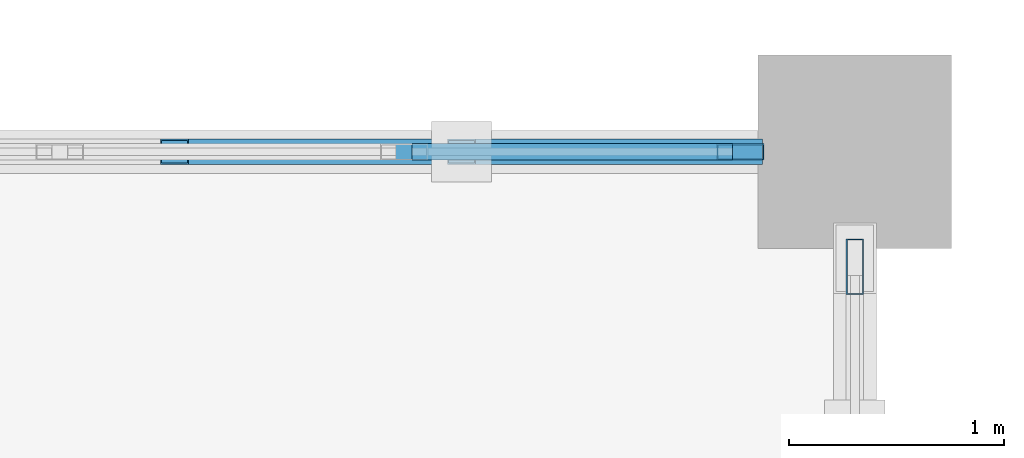
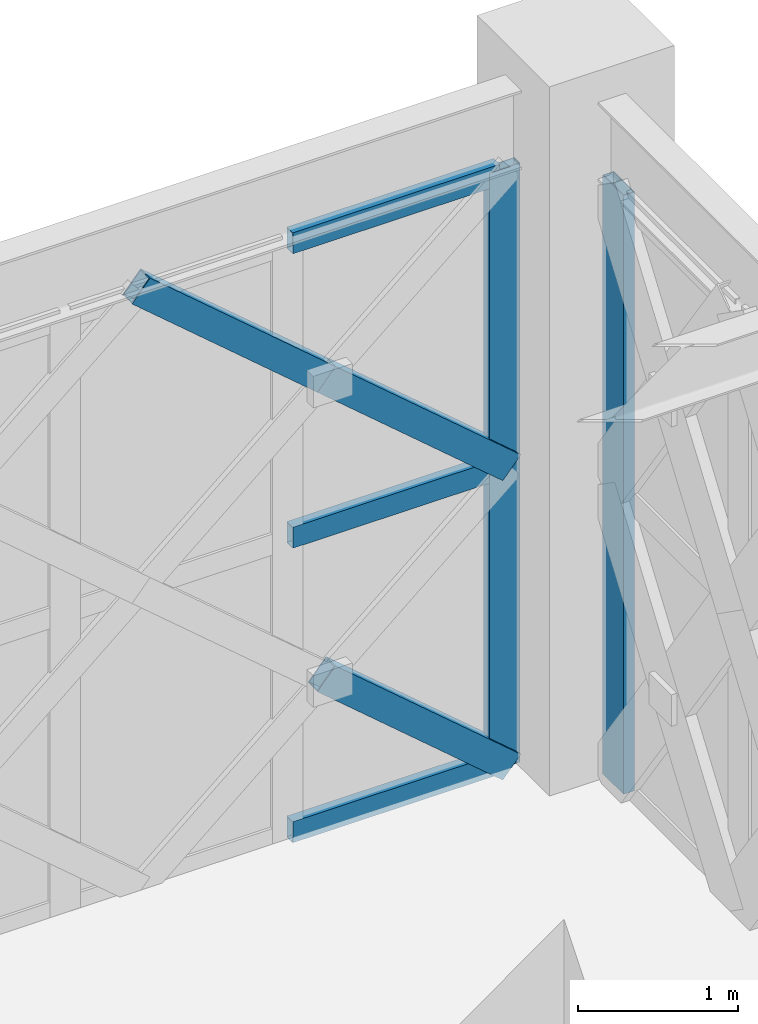
# One storey, part 30 of 155: 8 members, 2 elements without a shape of their own.
"""IFC4 building model written with IfcOpenShell, lengths in metres."""

from ifc_helpers import new_model, si_unit, direction, frame, origin, origin_2d, place, context, subcontext, project, spatial, hollow_rectangle, extrude, material, material_profile, profile_set, type_object, element, aggregate, save


model = new_model("IFC4")

# Units and contexts
model_context = context("Model", 3, precision=1e-05, world=origin(), true_north=direction((0.0, 1.0)))
body_context = subcontext(model_context, "Body", "Model", "MODEL_VIEW")
ifc_project = project(units=[si_unit("LENGTHUNIT", "METRE"), si_unit("AREAUNIT", "SQUARE_METRE"), si_unit("VOLUMEUNIT", "CUBIC_METRE"), si_unit("PLANEANGLEUNIT", "RADIAN"), si_unit("MASSUNIT", "GRAM", prefix="KILO")], contexts=[model_context])

# Site, building, storey
site_placement = place(None, origin())
site = spatial("IfcSite", under=ifc_project, at=site_placement, CompositionType="ELEMENT")
building_placement = place(site_placement, origin())
building = spatial("IfcBuilding", under=site, at=building_placement, Name="Haizhuo Lancet Aquarium", CompositionType="ELEMENT")
storey_placement = place(building_placement, frame((0.0, 0.0, 10.800048828125)))
storey = spatial("IfcBuildingStorey", under=building, at=storey_placement, Name="L02", CompositionType="ELEMENT", Elevation=10.800048828125)

# Curtain wall, member
ifc_material_1 = material(Name="Aluminium 6063-T6", Category="aluminium")
curtain_wall_type_1 = type_object("IfcCurtainWallType", Name="CWO-8010x4560", PredefinedType="NOTDEFINED", material=ifc_material_1)
curtain_wall_1_placement = place(storey_placement, origin())
curtain_wall_1 = element("IfcCurtainWall", 1, at=curtain_wall_1_placement, inside=storey, type_object=curtain_wall_type_1, Name="L02 curtain wall CW-V6-L02-218", PredefinedType="NOTDEFINED")
ifc_material_profile_1 = material_profile(ifc_material_1, hollow_rectangle(XDim=0.074951171875, YDim=0.219970703125, WallThickness=0.0048828125, at=origin_2d()), Name="ALU-M 75x220x5")
ifc_profile_set_1 = profile_set([ifc_material_profile_1], Name="Aluminium 6063-T6")
member_type_1 = type_object("IfcMemberType", Name="CW-MUL-2", PredefinedType="MULLION", material=ifc_profile_set_1)
member_1_placement = place(storey_placement, frame((-36.531982421875, -9.0, 0.0), z_axis=(0.0, 0.0, 1.0), x_axis=(0.0, 1.0, 0.0)))
member_1 = element("IfcMember", 2, at=member_1_placement, type_object=member_type_1, Name="CWO-80x45 mullion 6", PredefinedType="MULLION", context=body_context, shape_type="SweptSolid", body=[
    extrude(hollow_rectangle(XDim=0.074951171875, YDim=0.219970703125, WallThickness=0.0048828125, at=origin_2d()), origin(), (0.0, 0.0, 1.0), 4.56005859375),
])

curtain_wall_type_2 = type_object("IfcCurtainWallType", Name="CWD-8010x4560", PredefinedType="NOTDEFINED", material=ifc_material_1)
curtain_wall_2_placement = place(storey_placement, origin())
curtain_wall_2 = element("IfcCurtainWall", 3, at=curtain_wall_2_placement, inside=storey, type_object=curtain_wall_type_2, Name="L02 curtain wall CW-V6-L02-219", PredefinedType="NOTDEFINED")
ifc_material_profile_2 = material_profile(ifc_material_1, hollow_rectangle(XDim=0.080078125, YDim=0.260009765625, WallThickness=0.0048828125, at=origin_2d()), Name="ALU-M 80x260x5")
ifc_profile_set_2 = profile_set([ifc_material_profile_2], Name="Aluminium 6063-T6")
member_type_2 = type_object("IfcMemberType", Name="CW-MUL-3", PredefinedType="MULLION", material=ifc_profile_set_2)
member_2_placement = place(storey_placement, frame((-36.0, -9.534912109375, 0.0), z_axis=(0.0, 0.0, 1.0), x_axis=(1.0, 0.0, 0.0)))
member_2 = element("IfcMember", 4, at=member_2_placement, type_object=member_type_2, Name="CWD-80x45 mullion 1", PredefinedType="MULLION", context=body_context, shape_type="SweptSolid", body=[
    extrude(hollow_rectangle(XDim=0.080078125, YDim=0.260009765625, WallThickness=0.0048828125, at=origin_2d()), origin(), (0.0, 0.0, 1.0), 4.56005859375),
])
aggregate(curtain_wall_2, [member_2])

# Member
ifc_material_profile_3 = material_profile(ifc_material_1, hollow_rectangle(XDim=0.074951171875, YDim=0.159912109375, WallThickness=0.00390625, at=origin_2d()), Name="ALU-T 75x160x4")
ifc_profile_set_3 = profile_set([ifc_material_profile_3], Name="Aluminium 6063-T6")
member_type_3 = type_object("IfcMemberType", Name="CW-TRN-2", PredefinedType="NOTDEFINED", material=ifc_profile_set_3)
member_3_placement = place(storey_placement, frame((-38.05908203125, -9.0, 0.037841796875), z_axis=(1.0, 0.0, 0.0), x_axis=(0.0, 1.0, 0.0)))
member_3 = element("IfcMember", 5, at=member_3_placement, type_object=member_type_3, Name="CWO-80x45 transom 5.1", ObjectType="TRANSOM", PredefinedType="USERDEFINED", context=body_context, shape_type="SweptSolid", body=[
    extrude(hollow_rectangle(XDim=0.074951171875, YDim=0.159912109375, WallThickness=0.00390625, at=origin_2d()), origin(), (0.0, 0.0, 1.0), 1.489013671875),
])

member_4_placement = place(storey_placement, frame((-38.05908203125, -9.0, 2.280029296875), z_axis=(1.0, 0.0, 0.0), x_axis=(0.0, 1.0, 0.0)))
member_4 = element("IfcMember", 6, at=member_4_placement, type_object=member_type_3, Name="CWO-80x45 transom 5.2", ObjectType="TRANSOM", PredefinedType="USERDEFINED", context=body_context, shape_type="SweptSolid", body=[
    extrude(hollow_rectangle(XDim=0.074951171875, YDim=0.159912109375, WallThickness=0.00390625, at=origin_2d()), origin(), (0.0, 0.0, 1.0), 1.489013671875),
])

member_5_placement = place(storey_placement, frame((-38.05908203125, -9.0, 4.52197265625), z_axis=(1.0, 0.0, 0.0), x_axis=(0.0, 1.0, 0.0)))
member_5 = element("IfcMember", 7, at=member_5_placement, type_object=member_type_3, Name="CWO-80x45 transom 5.3", ObjectType="TRANSOM", PredefinedType="USERDEFINED", context=body_context, shape_type="SweptSolid", body=[
    extrude(hollow_rectangle(XDim=0.074951171875, YDim=0.159912109375, WallThickness=0.00390625, at=origin_2d()), origin(), (0.0, 0.0, 1.0), 1.489013671875),
])

aggregate(curtain_wall_1, [member_1, member_3, member_4, member_5])

# Members
ifc_material_2 = material(Name="Steel S355", Category="steel")
ifc_material_profile_4 = material_profile(ifc_material_2, hollow_rectangle(XDim=0.1201171875, YDim=0.199951171875, WallThickness=0.008056640625, at=origin_2d()), Name="RHS 120x200x8")
ifc_profile_set_4 = profile_set([ifc_material_profile_4], Name="Steel S355")
member_type_4 = type_object("IfcMemberType", Name="MEM-LB-RHS120x200", PredefinedType="BRACE", material=ifc_profile_set_4)
for number, where, z_axis, x_axis, name in (
    (8, (-36.4951171875, -9.0, 0.0), (-0.760482417667, 0.0, 0.649358523791), (0.0, -1.0, 0.0), "Gothic lancet split diagonal brace CW-V6-L02-218 5B1"),
    (9, (-36.4951171875, -9.0, 2.280029296875), (-0.760482417667, 0.0, 0.649358523791), (0.0, -1.0, 0.0), "Gothic lancet split diagonal brace CW-V6-L02-218 6B1"),
):
    element("IfcMember", number, at=place(storey_placement, frame(where, z_axis=z_axis, x_axis=x_axis)), inside=storey, type_object=member_type_4, Name=name, PredefinedType="BRACE", context=body_context, shape_type="SweptSolid", body=[
        extrude(hollow_rectangle(XDim=0.1201171875, YDim=0.199951171875, WallThickness=0.008056640625, at=origin_2d()), origin(), (0.0, 0.0, 1.0), 1.75537109375),
    ])
member_6_placement = place(storey_placement, frame((-37.830078125, -9.0, 3.419921875), z_axis=(-0.760413738967, 0.0, 0.649438946777), x_axis=(0.0, -1.0, 0.0)))
element("IfcMember", 10, at=member_6_placement, inside=storey, type_object=member_type_4, Name="Gothic lancet split diagonal brace CW-V6-L02-218 6B2", PredefinedType="BRACE", context=body_context, shape_type="SweptSolid", body=[
    extrude(hollow_rectangle(XDim=0.1201171875, YDim=0.199951171875, WallThickness=0.008056640625, at=origin_2d()), origin(), (0.0, 0.0, 1.0), 1.755615234375),
])

save(model, "model.ifc")
